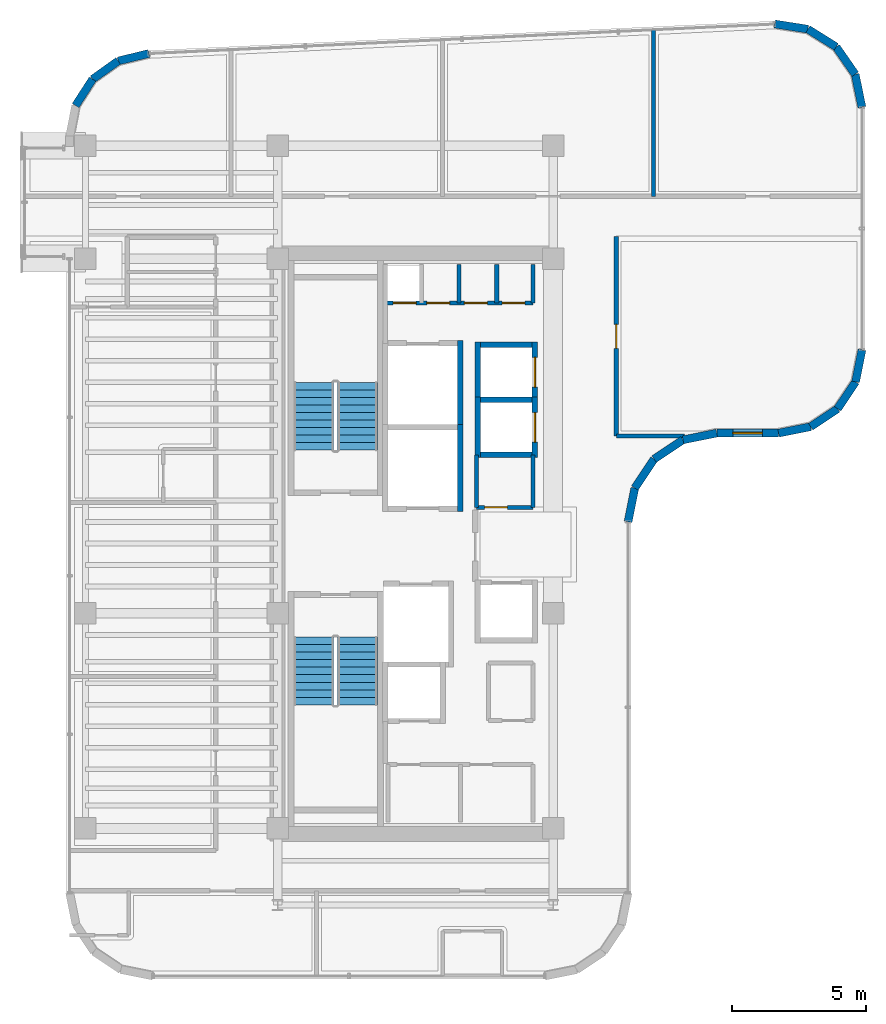
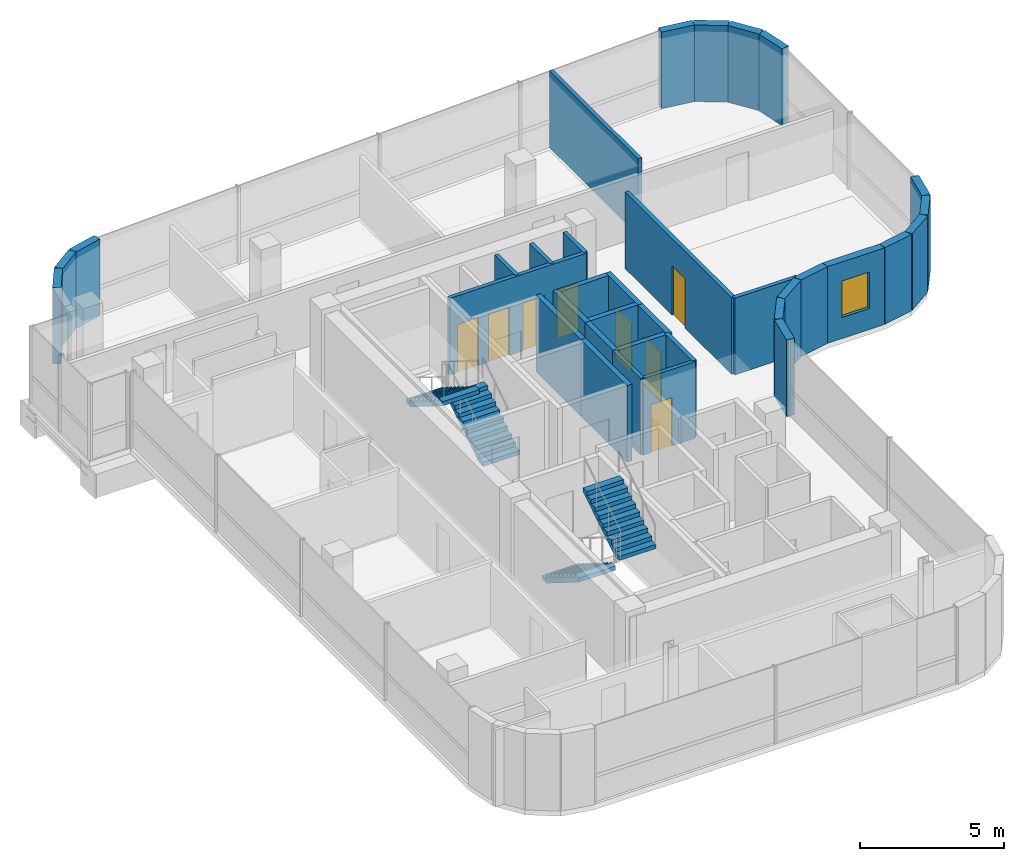
# One storey, part 18 of 21: 35 walls, 8 doors, 4 stair flights, 1 window, 9 openings, 2 elements without a shape of their own.
"""IFC4 building model written with IfcOpenShell, lengths in metres."""

from ifc_helpers import new_model, si_unit, direction, frame, frame_2d, origin, place, context, subcontext, project, spatial, polyline, rectangle, outline, extrude, material, layer, layer_set, type_object, element, fill, aggregate, save


model = new_model("IFC4")

# Units and contexts
model_context = context("Model", 3, precision=1e-05, world=origin(), true_north=direction((0.0, 1.0)))
body_context = subcontext(model_context, "Body", "Model", "MODEL_VIEW")
ifc_project = project(units=[si_unit("LENGTHUNIT", "METRE"), si_unit("AREAUNIT", "SQUARE_METRE"), si_unit("VOLUMEUNIT", "CUBIC_METRE"), si_unit("PLANEANGLEUNIT", "RADIAN"), si_unit("MASSUNIT", "GRAM", prefix="KILO")], contexts=[model_context])

# Site, building, storey
site_placement = place(None, origin())
site = spatial("IfcSite", under=ifc_project, at=site_placement, CompositionType="ELEMENT")
building_placement = place(site_placement, origin())
building = spatial("IfcBuilding", under=site, at=building_placement, Name="Valdorenza Pilgrim Sanctuary Tower", CompositionType="ELEMENT")
storey_placement = place(building_placement, frame((0.0, 0.0, 258.0)))
storey = spatial("IfcBuildingStorey", under=building, at=storey_placement, Name="L67", CompositionType="ELEMENT", Elevation=258.0)

# Wall, openings, doors
ifc_material_1 = material(Name="Acoustic twin-stud gypsum partition", Category="gypsum")
ifc_layer_1 = layer(ifc_material_1, 0.159912109375, Name="Acoustic twin-stud gypsum partition")
ifc_layer_set_1 = layer_set([ifc_layer_1], Name="Acoustic twin-stud gypsum partition")
wall_type_1 = type_object("IfcWallType", Name="WAL-COR-160", PredefinedType="PARTITIONING", material=ifc_layer_set_1)
wall_1_placement = place(storey_placement, frame((-18.64990234375, 8.949951171875, 0.0), z_axis=(0.0, 0.0, 1.0), x_axis=(1.0, 0.0, 0.0)))
wall_1 = element("IfcWall", 1, at=wall_1_placement, inside=storey, type_object=wall_type_1, Name="L67 Core A North Service South Wall", PredefinedType="PARTITIONING", context=body_context, shape_type="SweptSolid", body=[
    extrude(rectangle(XDim=5.5, YDim=0.159912109375, at=frame_2d((2.75, 0.0))), origin(), (0.0, 0.0, 1.0), 3.260009765625),
])
opening_1_placement = place(wall_1_placement, frame((0.300048828125, 0.0, 0.0)))
opening_1 = element("IfcOpeningElement", 2, at=opening_1_placement, cuts=wall_1, Name="Opening DR-RS1", PredefinedType="OPENING", context=body_context, shape_type="SweptSolid", body=[
    extrude(rectangle(XDim=0.85009765625, YDim=2.050048828125, at=frame_2d((0.425048828125, 1.02490234375))), frame((0.0, 0.0947265625, 0.0), z_axis=(0.0, -1.0, 0.0), x_axis=(1.0, 0.0, 0.0)), (0.0, 0.0, 1.0), 0.189697265625),
])
opening_2_placement = place(wall_1_placement, frame((1.550048828125, 0.0, 0.0)))
opening_2 = element("IfcOpeningElement", 3, at=opening_2_placement, cuts=wall_1, Name="Opening DR-RS1", PredefinedType="OPENING", context=body_context, shape_type="SweptSolid", body=[
    extrude(rectangle(XDim=0.85009765625, YDim=2.050048828125, at=frame_2d((0.425048828125, 1.02490234375))), frame((0.0, 0.0947265625, 0.0), z_axis=(0.0, -1.0, 0.0), x_axis=(1.0, 0.0, 0.0)), (0.0, 0.0, 1.0), 0.189697265625),
])
opening_3_placement = place(wall_1_placement, frame((2.949951171875, 0.0, 0.0)))
opening_3 = element("IfcOpeningElement", 4, at=opening_3_placement, cuts=wall_1, Name="Opening DR-RS1", PredefinedType="OPENING", context=body_context, shape_type="SweptSolid", body=[
    extrude(rectangle(XDim=0.85009765625, YDim=2.050048828125, at=frame_2d((0.425048828125, 1.02490234375))), frame((0.0, 0.0947265625, 0.0), z_axis=(0.0, -1.0, 0.0), x_axis=(1.0, 0.0, 0.0)), (0.0, 0.0, 1.0), 0.189697265625),
])
opening_4_placement = place(wall_1_placement, frame((4.35009765625, 0.0, 0.0)))
opening_4 = element("IfcOpeningElement", 5, at=opening_4_placement, cuts=wall_1, Name="Opening DR-RS1", PredefinedType="OPENING", context=body_context, shape_type="SweptSolid", body=[
    extrude(rectangle(XDim=0.85009765625, YDim=2.050048828125, at=frame_2d((0.425048828125, 1.02490234375))), frame((0.0, 0.0947265625, 0.0), z_axis=(0.0, -1.0, 0.0), x_axis=(1.0, 0.0, 0.0)), (0.0, 0.0, 1.0), 0.189697265625),
])
ifc_material_2 = material(Name="Painted galvanized steel", Category="steel")
door_type_1 = type_object("IfcDoorType", Name="DR-RSR-850", OperationType="NOTDEFINED", PredefinedType="DOOR", material=ifc_material_2)
door_1_placement = place(opening_1_placement, origin())
door_1 = element("IfcDoor", 6, at=door_1_placement, inside=storey, type_object=door_type_1, Name="L67 Core Electrical and Telecom Riser Door", OperationType="SINGLE_SWING_LEFT", OverallHeight=2.050048828125, OverallWidth=0.85009765625, PredefinedType="DOOR", context=body_context, shape_type="SweptSolid", body=[
    extrude(rectangle(XDim=0.85009765625, YDim=2.050048828125, at=frame_2d((0.425048828125, 1.02490234375))), frame((0.0, 0.02490234375, 0.0), z_axis=(0.0, -1.0, 0.0), x_axis=(1.0, 0.0, 0.0)), (0.0, 0.0, 1.0), 0.050048828125),
])
fill(opening_1, door_1)
door_2_placement = place(opening_2_placement, origin())
door_2 = element("IfcDoor", 7, at=door_2_placement, inside=storey, type_object=door_type_1, Name="L67 Housekeeping and Clean Linen Room Door", OperationType="SINGLE_SWING_RIGHT", OverallHeight=2.050048828125, OverallWidth=0.85009765625, PredefinedType="DOOR", context=body_context, shape_type="SweptSolid", body=[
    extrude(rectangle(XDim=0.85009765625, YDim=2.050048828125, at=frame_2d((0.425048828125, 1.02490234375))), frame((0.0, 0.02490234375, 0.0), z_axis=(0.0, -1.0, 0.0), x_axis=(1.0, 0.0, 0.0)), (0.0, 0.0, 1.0), 0.050048828125),
])
fill(opening_2, door_2)
door_3_placement = place(opening_3_placement, origin())
door_3 = element("IfcDoor", 8, at=door_3_placement, inside=storey, type_object=door_type_1, Name="L67 Core IT Server Closet Door", OperationType="SINGLE_SWING_LEFT", OverallHeight=2.050048828125, OverallWidth=0.85009765625, PredefinedType="DOOR", context=body_context, shape_type="SweptSolid", body=[
    extrude(rectangle(XDim=0.85009765625, YDim=2.050048828125, at=frame_2d((0.425048828125, 1.02490234375))), frame((0.0, 0.02490234375, 0.0), z_axis=(0.0, -1.0, 0.0), x_axis=(1.0, 0.0, 0.0)), (0.0, 0.0, 1.0), 0.050048828125),
])
fill(opening_3, door_3)
door_4_placement = place(opening_4_placement, origin())
door_4 = element("IfcDoor", 9, at=door_4_placement, inside=storey, type_object=door_type_1, Name="L67 Core Staff Washroom Door", OperationType="SINGLE_SWING_RIGHT", OverallHeight=2.050048828125, OverallWidth=0.85009765625, PredefinedType="DOOR", context=body_context, shape_type="SweptSolid", body=[
    extrude(rectangle(XDim=0.85009765625, YDim=2.050048828125, at=frame_2d((0.425048828125, 1.02490234375))), frame((0.0, 0.02490234375, 0.0), z_axis=(0.0, -1.0, 0.0), x_axis=(1.0, 0.0, 0.0)), (0.0, 0.0, 1.0), 0.050048828125),
])
fill(opening_4, door_4)

# Walls
for number, where, z_axis, x_axis, name in (
    (10, (-13.14990234375, 8.949951171875, 0.0), (0.0, 0.0, 1.0), (0.0, 1.0, 0.0), "L67 Core A North Service East Wall"),
    (11, (-15.89990234375, 8.949951171875, 0.0), (0.0, 0.0, 1.0), (0.0, 1.0, 0.0), "L67 Core A Split D1"),
    (12, (-14.5, 8.949951171875, 0.0), (0.0, 0.0, 1.0), (0.0, 1.0, 0.0), "L67 Core A Split D2"),
):
    element("IfcWall", number, at=place(storey_placement, frame(where, z_axis=z_axis, x_axis=x_axis)), inside=storey, type_object=wall_type_1, Name=name, PredefinedType="PARTITIONING", context=body_context, shape_type="SweptSolid", body=[
        extrude(rectangle(XDim=1.429931640625, YDim=0.159912109375, at=frame_2d((0.71484375, 0.0))), origin(), (0.0, 0.0, 1.0), 3.260009765625),
    ])
wall_2_placement = place(storey_placement, frame((-13.14990234375, 1.35009765625, 0.0), z_axis=(0.0, 0.0, 1.0), x_axis=(0.0, 1.0, 0.0)))
element("IfcWall", 13, at=wall_2_placement, inside=storey, type_object=wall_type_1, Name="L67 Freed Shaft 6 East Wall", PredefinedType="PARTITIONING", context=body_context, shape_type="SweptSolid", body=[
    extrude(rectangle(XDim=1.949951171875, YDim=0.159912109375, at=frame_2d((0.97509765625, 0.0))), origin(), (0.0, 0.0, 1.0), 3.260009765625),
])

# Wall, opening, door
wall_3_placement = place(storey_placement, frame((-10.050048828125, 4.0, 0.0), z_axis=(0.0, 0.0, 1.0), x_axis=(0.0, 1.0, 0.0)))
wall_3 = element("IfcWall", 14, at=wall_3_placement, inside=storey, type_object=wall_type_1, Name="L67 East Stub Corridor Wall", PredefinedType="PARTITIONING", context=body_context, shape_type="SweptSolid", body=[
    extrude(rectangle(XDim=7.419921875, YDim=0.159912109375, at=frame_2d((3.7099609375, 0.0))), origin(), (0.0, 0.0, 1.0), 3.260009765625),
])
opening_5_placement = place(wall_3_placement, frame((3.260009765625, 0.0, 0.0)))
opening_5 = element("IfcOpeningElement", 15, at=opening_5_placement, cuts=wall_3, Name="Opening DR-RM1", PredefinedType="OPENING", context=body_context, shape_type="SweptSolid", body=[
    extrude(rectangle(XDim=0.89990234375, YDim=2.10009765625, at=frame_2d((0.449951171875, 1.050048828125))), frame((0.0, 0.0947265625, 0.0), z_axis=(0.0, -1.0, 0.0), x_axis=(1.0, 0.0, 0.0)), (0.0, 0.0, 1.0), 0.189697265625),
])
ifc_material_3 = material(Name="Solid-core European oak timber", Category="wood")
door_type_2 = type_object("IfcDoorType", Name="DR-ROOM-900", OperationType="NOTDEFINED", PredefinedType="DOOR", material=ifc_material_3)
door_5_placement = place(opening_5_placement, origin())
door_5 = element("IfcDoor", 16, at=door_5_placement, inside=storey, type_object=door_type_2, Name="L67 Pilgrim Scholar Office L67-E1 Door", OperationType="SINGLE_SWING_RIGHT", OverallHeight=2.10009765625, OverallWidth=0.89990234375, PredefinedType="DOOR", context=body_context, shape_type="SweptSolid", body=[
    extrude(rectangle(XDim=0.89990234375, YDim=2.10009765625, at=frame_2d((0.449951171875, 1.050048828125))), frame((0.0, 0.02490234375, 0.0), z_axis=(0.0, -1.0, 0.0), x_axis=(1.0, 0.0, 0.0)), (0.0, 0.0, 1.0), 0.050048828125),
])
fill(opening_5, door_5)

# Walls
wall_4_placement = place(storey_placement, frame((-10.050048828125, 4.0, 0.0), z_axis=(0.0, 0.0, 1.0), x_axis=(1.0, 0.0, 0.0)))
element("IfcWall", 17, at=wall_4_placement, inside=storey, type_object=wall_type_1, Name="L67 East Stub South Wall", PredefinedType="PARTITIONING", context=body_context, shape_type="SweptSolid", body=[
    extrude(rectangle(XDim=2.545654296875, YDim=0.159912109375, at=frame_2d((1.27294921875, 0.0))), origin(), (0.0, 0.0, 1.0), 3.260009765625),
])
ifc_material_4 = material(Name="Honed travertine limestone", Category="masonry")
ifc_layer_2 = layer(ifc_material_4, 0.300048828125, Name="Honed travertine limestone")
ifc_layer_set_2 = layer_set([ifc_layer_2], Name="Honed travertine limestone")
wall_type_2 = type_object("IfcWallType", Name="WAL-EXT-300", PredefinedType="SOLIDWALL", material=ifc_layer_set_2)
wall_5_placement = place(storey_placement, frame((-30.16650390625, 16.29541015625, 0.0), z_axis=(0.0, 0.0, 1.0), x_axis=(0.540842020947, 0.841124193195, 0.0)))
element("IfcWall", 18, at=wall_5_placement, inside=storey, type_object=wall_type_2, Name="L67 Rounded Wind-Corner Stone Pier 3", PredefinedType="SOLIDWALL", context=body_context, shape_type="SweptSolid", body=[
    extrude(rectangle(XDim=1.169189453125, YDim=0.300048828125, at=frame_2d((0.58447265625, 0.0))), origin(), (0.0, 0.0, 1.0), 3.260009765625),
])
wall_6_placement = place(storey_placement, frame((-29.5341796875, 17.27880859375, 0.0), z_axis=(0.0, 0.0, 1.0), x_axis=(0.81466371606, 0.579933642527, 0.0)))
element("IfcWall", 19, at=wall_6_placement, inside=storey, type_object=wall_type_2, Name="L67 Rounded Wind-Corner Stone Pier 4", PredefinedType="SOLIDWALL", context=body_context, shape_type="SweptSolid", body=[
    extrude(rectangle(XDim=1.1689453125, YDim=0.300048828125, at=frame_2d((0.58447265625, 0.0))), origin(), (0.0, 0.0, 1.0), 3.260009765625),
])
wall_7_placement = place(storey_placement, frame((-28.581787109375, 17.956787109375, 0.0), z_axis=(0.0, 0.0, 1.0), x_axis=(0.971929016595, 0.235274279725, 0.0)))
element("IfcWall", 20, at=wall_7_placement, inside=storey, type_object=wall_type_2, Name="L67 Rounded Wind-Corner Stone Pier 5", PredefinedType="SOLIDWALL", context=body_context, shape_type="SweptSolid", body=[
    extrude(rectangle(XDim=1.179931640625, YDim=0.300048828125, at=frame_2d((0.58984375, 0.0))), origin(), (0.0, 0.0, 1.0), 3.260009765625),
])
wall_8_placement = place(storey_placement, frame((-4.15673828125, 19.331787109375, 0.0), z_axis=(0.0, 0.0, 1.0), x_axis=(0.987969236552, -0.15465053387, 0.0)))
element("IfcWall", 21, at=wall_8_placement, inside=storey, type_object=wall_type_2, Name="L67 Rounded Wind-Corner Stone Pier 7", PredefinedType="SOLIDWALL", context=body_context, shape_type="SweptSolid", body=[
    extrude(rectangle(XDim=1.251953125, YDim=0.300048828125, at=frame_2d((0.6259765625, 0.0))), origin(), (0.0, 0.0, 1.0), 3.260009765625),
])
for number, where, z_axis, x_axis, name in (
    (22, (-2.919921875, 19.13818359375, 0.0), (0.0, 0.0, 1.0), (0.847489288141, -0.530812496543, 0.0), "L67 Rounded Wind-Corner Stone Pier 8"),
    (23, (-1.86865234375, 18.479736328125, 0.0), (0.0, 0.0, 1.0), (0.570181861951, -0.821518499063, 0.0), "L67 Rounded Wind-Corner Stone Pier 9"),
):
    element("IfcWall", number, at=place(storey_placement, frame(where, z_axis=z_axis, x_axis=x_axis)), inside=storey, type_object=wall_type_2, Name=name, PredefinedType="SOLIDWALL", context=body_context, shape_type="SweptSolid", body=[
        extrude(rectangle(XDim=1.240478515625, YDim=0.300048828125, at=frame_2d((0.6201171875, 0.0))), origin(), (0.0, 0.0, 1.0), 3.260009765625),
    ])
wall_9_placement = place(storey_placement, frame((-1.161376953125, 17.460693359375, 0.0), z_axis=(0.0, 0.0, 1.0), x_axis=(0.20087696073, -0.979616479367, 0.0)))
element("IfcWall", 24, at=wall_9_placement, inside=storey, type_object=wall_type_2, Name="L67 Rounded Wind-Corner Stone Pier 10", PredefinedType="SOLIDWALL", context=body_context, shape_type="SweptSolid", body=[
    extrude(rectangle(XDim=1.251953125, YDim=0.300048828125, at=frame_2d((0.6259765625, 0.0))), origin(), (0.0, 0.0, 1.0), 3.260009765625),
])
wall_10_placement = place(storey_placement, frame((-0.909912109375, 7.210693359375, 0.0), z_axis=(0.0, 0.0, 1.0), x_axis=(-0.195189223115, -0.980765602568, 0.0)))
element("IfcWall", 25, at=wall_10_placement, inside=storey, type_object=wall_type_2, Name="L67 Rounded Wind-Corner Stone Pier 12", PredefinedType="SOLIDWALL", context=body_context, shape_type="SweptSolid", body=[
    extrude(rectangle(XDim=1.2158203125, YDim=0.300048828125, at=frame_2d((0.60791015625, 0.0))), origin(), (0.0, 0.0, 1.0), 3.260009765625),
])
for number, where, z_axis, x_axis, name in (
    (26, (-1.147216796875, 6.018310546875, 0.0), (0.0, 0.0, 1.0), (-0.555635100982, -0.831426265255, 0.0), "L67 Rounded Wind-Corner Stone Pier 13"),
    (27, (-1.816650390625, 5.0166015625, 0.0), (0.0, 0.0, 1.0), (-0.831426265255, -0.555635100982, 0.0), "L67 Rounded Wind-Corner Stone Pier 14"),
):
    element("IfcWall", number, at=place(storey_placement, frame(where, z_axis=z_axis, x_axis=x_axis)), inside=storey, type_object=wall_type_2, Name=name, PredefinedType="SOLIDWALL", context=body_context, shape_type="SweptSolid", body=[
        extrude(rectangle(XDim=1.204833984375, YDim=0.300048828125, at=frame_2d((0.6025390625, 0.0))), origin(), (0.0, 0.0, 1.0), 3.260009765625),
    ])
wall_11_placement = place(storey_placement, frame((-2.818359375, 4.34716796875, 0.0), z_axis=(0.0, 0.0, 1.0), x_axis=(-0.980804027463, -0.194996050505, 0.0)))
element("IfcWall", 28, at=wall_11_placement, inside=storey, type_object=wall_type_2, Name="L67 Rounded Wind-Corner Stone Pier 15", PredefinedType="SOLIDWALL", context=body_context, shape_type="SweptSolid", body=[
    extrude(rectangle(XDim=1.2158203125, YDim=0.300048828125, at=frame_2d((0.60791015625, 0.0))), origin(), (0.0, 0.0, 1.0), 3.260009765625),
])

# Wall, opening, window
wall_12_placement = place(storey_placement, frame((-4.0107421875, 4.110107421875, 0.0), z_axis=(0.0, 0.0, 1.0), x_axis=(-1.0, 0.0, 0.0)))
wall_12 = element("IfcWall", 29, at=wall_12_placement, inside=storey, type_object=wall_type_2, Name="L67 Rounded Wind-Corner Stone Pier 16", PredefinedType="SOLIDWALL", context=body_context, shape_type="SweptSolid", body=[
    extrude(rectangle(XDim=2.300048828125, YDim=0.300048828125, at=frame_2d((1.14990234375, 0.0))), origin(), (0.0, 0.0, 1.0), 3.260009765625),
])
opening_6_placement = place(wall_12_placement, frame((0.60009765625, 0.0, 0.89990234375)))
opening_6 = element("IfcOpeningElement", 30, at=opening_6_placement, cuts=wall_12, Name="Opening WN-CR1", PredefinedType="OPENING", context=body_context, shape_type="SweptSolid", body=[
    extrude(rectangle(XDim=1.10009765625, YDim=1.550048828125, at=frame_2d((0.550048828125, 0.77490234375))), frame((0.0, 0.1650390625, 0.0), z_axis=(0.0, -1.0, 0.0), x_axis=(1.0, 0.0, 0.0)), (0.0, 0.0, 1.0), 0.329833984375),
])
ifc_material_5 = material(Name="Ceramic-fritted low-E IGU glazing", Category="glass")
window_type = type_object("IfcWindowType", Name="WIN-CRN-1200", PartitioningType="SINGLE_PANEL", PredefinedType="WINDOW", material=ifc_material_5)
window_placement = place(opening_6_placement, origin())
window = element("IfcWindow", 31, at=window_placement, inside=storey, type_object=window_type, Name="L67 Rounded Corner Slot Window 16", OverallHeight=1.550048828125, OverallWidth=1.10009765625, PartitioningType="SINGLE_PANEL", PredefinedType="WINDOW", context=body_context, shape_type="SweptSolid", body=[
    extrude(rectangle(XDim=1.10009765625, YDim=1.550048828125, at=frame_2d((0.550048828125, 0.77490234375))), frame((0.0, 0.030029296875, 0.0), z_axis=(0.0, -1.0, 0.0), x_axis=(1.0, 0.0, 0.0)), (0.0, 0.0, 1.0), 0.06005859375),
])
fill(opening_6, window)

# Walls
wall_13_placement = place(storey_placement, frame((-6.310791015625, 4.110107421875, 0.0), z_axis=(0.0, 0.0, 1.0), x_axis=(-0.980778058848, -0.195126623715, 0.0)))
element("IfcWall", 32, at=wall_13_placement, inside=storey, type_object=wall_type_2, Name="L67 Rounded Wind-Corner Stone Pier 17", PredefinedType="SOLIDWALL", context=body_context, shape_type="SweptSolid", body=[
    extrude(rectangle(XDim=1.28125, YDim=0.300048828125, at=frame_2d((0.640625, 0.0))), origin(), (0.0, 0.0, 1.0), 3.260009765625),
])
for number, where, z_axis, x_axis, name in (
    (33, (-7.5673828125, 3.860107421875, 0.0), (0.0, 0.0, 1.0), (-0.831497739511, -0.555528135371, 0.0), "L67 Rounded Wind-Corner Stone Pier 18"),
    (34, (-8.64208984375, 3.14208984375, 0.0), (0.0, 0.0, 1.0), (-0.555528135371, -0.831497739511, 0.0), "L67 Rounded Wind-Corner Stone Pier 19"),
):
    element("IfcWall", number, at=place(storey_placement, frame(where, z_axis=z_axis, x_axis=x_axis)), inside=storey, type_object=wall_type_2, Name=name, PredefinedType="SOLIDWALL", context=body_context, shape_type="SweptSolid", body=[
        extrude(rectangle(XDim=1.29248046875, YDim=0.300048828125, at=frame_2d((0.646240234375, 0.0))), origin(), (0.0, 0.0, 1.0), 3.260009765625),
    ])
wall_14_placement = place(storey_placement, frame((-9.360107421875, 2.0673828125, 0.0), z_axis=(0.0, 0.0, 1.0), x_axis=(-0.195126623715, -0.980778058848, 0.0)))
element("IfcWall", 35, at=wall_14_placement, inside=storey, type_object=wall_type_2, Name="L67 Rounded Wind-Corner Stone Pier 20", PredefinedType="SOLIDWALL", context=body_context, shape_type="SweptSolid", body=[
    extrude(rectangle(XDim=1.28125, YDim=0.300048828125, at=frame_2d((0.640625, 0.0))), origin(), (0.0, 0.0, 1.0), 3.260009765625),
])
ifc_material_6 = material(Name="Autoclaved aerated concrete blockwork", Category="masonry")
ifc_layer_3 = layer(ifc_material_6, 0.199951171875, Name="Autoclaved aerated concrete blockwork")
ifc_layer_set_3 = layer_set([ifc_layer_3], Name="Autoclaved aerated concrete blockwork")
wall_type_3 = type_object("IfcWallType", Name="WAL-SHF-200", PredefinedType="MOVABLE", material=ifc_layer_set_3)
wall_15_placement = place(storey_placement, frame((-15.85009765625, 1.199951171875, 0.0), z_axis=(0.0, 0.0, 1.0), x_axis=(0.0, 1.0, 0.0)))
element("IfcWall", 36, at=wall_15_placement, inside=storey, type_object=wall_type_3, Name="L67 Lift FFL-01 Hoistway Wall East", PredefinedType="MOVABLE", context=body_context, shape_type="SweptSolid", body=[
    extrude(rectangle(XDim=3.22509765625, YDim=0.199951171875, at=frame_2d((1.612548828125, 0.0))), origin(), (0.0, 0.0, 1.0), 3.260009765625),
])
wall_16_placement = place(storey_placement, frame((-15.85009765625, 4.22509765625, 0.0), z_axis=(0.0, 0.0, 1.0), x_axis=(0.0, 1.0, 0.0)))
element("IfcWall", 37, at=wall_16_placement, inside=storey, type_object=wall_type_3, Name="L67 Lift SVL-01 Hoistway Wall East", PredefinedType="MOVABLE", context=body_context, shape_type="SweptSolid", body=[
    extrude(rectangle(XDim=3.324951171875, YDim=0.199951171875, at=frame_2d((1.66259765625, 0.0))), origin(), (0.0, 0.0, 1.0), 3.260009765625),
])
wall_17_placement = place(storey_placement, frame((-15.199951171875, 3.199951171875, 0.0), z_axis=(0.0, 0.0, 1.0), x_axis=(0.0, 1.0, 0.0)))
element("IfcWall", 38, at=wall_17_placement, inside=storey, type_object=wall_type_3, Name="L67 Lift PL-09 Hoistway Wall West", PredefinedType="MOVABLE", context=body_context, shape_type="SweptSolid", body=[
    extrude(rectangle(XDim=2.25, YDim=0.199951171875, at=frame_2d((1.125, 0.0))), origin(), (0.0, 0.0, 1.0), 3.260009765625),
])

# Wall, opening, door
wall_18_placement = place(storey_placement, frame((-13.080078125, 3.199951171875, 0.0), z_axis=(0.0, 0.0, 1.0), x_axis=(0.0, 1.0, 0.0)))
wall_18 = element("IfcWall", 39, at=wall_18_placement, inside=storey, type_object=wall_type_3, Name="L67 Lift PL-09 Hoistway Wall East", PredefinedType="MOVABLE", context=body_context, shape_type="SweptSolid", body=[
    extrude(rectangle(XDim=2.25, YDim=0.199951171875, at=frame_2d((1.125, 0.0))), origin(), (0.0, 0.0, 1.0), 3.260009765625),
])
opening_7_placement = place(wall_18_placement, frame((0.574951171875, 0.0, 0.0)))
opening_7 = element("IfcOpeningElement", 40, at=opening_7_placement, cuts=wall_18, Name="Opening LD-01", PredefinedType="OPENING", context=body_context, shape_type="SweptSolid", body=[
    extrude(rectangle(XDim=1.10009765625, YDim=2.10009765625, at=frame_2d((0.550048828125, 1.050048828125))), frame((0.0, 0.11474609375, 0.0), z_axis=(0.0, -1.0, 0.0), x_axis=(1.0, 0.0, 0.0)), (0.0, 0.0, 1.0), 0.229736328125),
])
ifc_material_7 = material(Name="Brushed stainless steel Grade 316", Category="steel")
door_type_3 = type_object("IfcDoorType", Name="DR-LFT-1100", OperationType="DOUBLE_DOOR_SLIDING", PredefinedType="DOOR", material=ifc_material_7)
door_6_placement = place(opening_7_placement, origin())
door_6 = element("IfcDoor", 41, at=door_6_placement, inside=storey, type_object=door_type_3, Name="L67 Lift PL-09 Sliding Landing Door", OperationType="DOUBLE_DOOR_SLIDING", OverallHeight=2.10009765625, OverallWidth=1.10009765625, PredefinedType="DOOR", context=body_context, shape_type="SweptSolid", body=[
    extrude(rectangle(XDim=1.10009765625, YDim=2.10009765625, at=frame_2d((0.550048828125, 1.050048828125))), frame((0.0, 0.02490234375, 0.0), z_axis=(0.0, -1.0, 0.0), x_axis=(1.0, 0.0, 0.0)), (0.0, 0.0, 1.0), 0.050048828125),
])
fill(opening_7, door_6)

# Walls
for number, where, z_axis, x_axis, name in (
    (42, (-15.10009765625, 3.300048828125, 0.0), (0.0, 0.0, 1.0), (1.0, 0.0, 0.0), "L67 Lift PL-09 Hoistway Wall South"),
    (43, (-15.10009765625, 5.35009765625, 0.0), (0.0, 0.0, 1.0), (1.0, 0.0, 0.0), "L67 Lift PL-09 Hoistway Wall North"),
):
    element("IfcWall", number, at=place(storey_placement, frame(where, z_axis=z_axis, x_axis=x_axis)), inside=storey, type_object=wall_type_3, Name=name, PredefinedType="MOVABLE", context=body_context, shape_type="SweptSolid", body=[
        extrude(rectangle(XDim=1.920166015625, YDim=0.199951171875, at=frame_2d((0.9599609375, 0.0))), origin(), (0.0, 0.0, 1.0), 3.260009765625),
    ])
wall_19_placement = place(storey_placement, frame((-15.199951171875, 5.25, 0.0), z_axis=(0.0, 0.0, 1.0), x_axis=(0.0, 1.0, 0.0)))
element("IfcWall", 44, at=wall_19_placement, inside=storey, type_object=wall_type_3, Name="L67 Lift PL-10 Hoistway Wall West", PredefinedType="MOVABLE", context=body_context, shape_type="SweptSolid", body=[
    extrude(rectangle(XDim=2.25, YDim=0.199951171875, at=frame_2d((1.125, 0.0))), origin(), (0.0, 0.0, 1.0), 3.260009765625),
])

# Wall, opening, door
wall_20_placement = place(storey_placement, frame((-13.080078125, 5.25, 0.0), z_axis=(0.0, 0.0, 1.0), x_axis=(0.0, 1.0, 0.0)))
wall_20 = element("IfcWall", 45, at=wall_20_placement, inside=storey, type_object=wall_type_3, Name="L67 Lift PL-10 Hoistway Wall East", PredefinedType="MOVABLE", context=body_context, shape_type="SweptSolid", body=[
    extrude(rectangle(XDim=2.25, YDim=0.199951171875, at=frame_2d((1.125, 0.0))), origin(), (0.0, 0.0, 1.0), 3.260009765625),
])
opening_8_placement = place(wall_20_placement, frame((0.574951171875, 0.0, 0.0)))
opening_8 = element("IfcOpeningElement", 46, at=opening_8_placement, cuts=wall_20, Name="Opening LD-01", PredefinedType="OPENING", context=body_context, shape_type="SweptSolid", body=[
    extrude(rectangle(XDim=1.10009765625, YDim=2.10009765625, at=frame_2d((0.550048828125, 1.050048828125))), frame((0.0, 0.11474609375, 0.0), z_axis=(0.0, -1.0, 0.0), x_axis=(1.0, 0.0, 0.0)), (0.0, 0.0, 1.0), 0.229736328125),
])
door_7_placement = place(opening_8_placement, origin())
door_7 = element("IfcDoor", 47, at=door_7_placement, inside=storey, type_object=door_type_3, Name="L67 Lift PL-10 Sliding Landing Door", OperationType="DOUBLE_DOOR_SLIDING", OverallHeight=2.10009765625, OverallWidth=1.10009765625, PredefinedType="DOOR", context=body_context, shape_type="SweptSolid", body=[
    extrude(rectangle(XDim=1.10009765625, YDim=2.10009765625, at=frame_2d((0.550048828125, 1.050048828125))), frame((0.0, 0.02490234375, 0.0), z_axis=(0.0, -1.0, 0.0), x_axis=(1.0, 0.0, 0.0)), (0.0, 0.0, 1.0), 0.050048828125),
])
fill(opening_8, door_7)

# Walls
wall_21_placement = place(storey_placement, frame((-15.10009765625, 7.39990234375, 0.0), z_axis=(0.0, 0.0, 1.0), x_axis=(1.0, 0.0, 0.0)))
element("IfcWall", 48, at=wall_21_placement, inside=storey, type_object=wall_type_3, Name="L67 Lift PL-10 Hoistway Wall North", PredefinedType="MOVABLE", context=body_context, shape_type="SweptSolid", body=[
    extrude(rectangle(XDim=1.920166015625, YDim=0.199951171875, at=frame_2d((0.9599609375, 0.0))), origin(), (0.0, 0.0, 1.0), 3.260009765625),
])
ifc_layer_4 = layer(ifc_material_1, 0.14990234375, Name="Acoustic twin-stud gypsum partition")
ifc_layer_set_4 = layer_set([ifc_layer_4], Name="Acoustic twin-stud gypsum partition")
wall_type_4 = type_object("IfcWallType", Name="WAL-UNT-150", PredefinedType="PARTITIONING", material=ifc_layer_set_4)
wall_22_placement = place(storey_placement, frame((-15.25, 1.35009765625, 0.0), z_axis=(0.0, 0.0, 1.0), x_axis=(0.0, 1.0, 0.0)))
element("IfcWall", 49, at=wall_22_placement, inside=storey, type_object=wall_type_4, Name="L67 Freed Shaft 6 West Wall", PredefinedType="PARTITIONING", context=body_context, shape_type="SweptSolid", body=[
    extrude(rectangle(XDim=1.949951171875, YDim=0.14990234375, at=frame_2d((0.97509765625, 0.0))), origin(), (0.0, 0.0, 1.0), 3.260009765625),
])

# Wall, opening, door
wall_23_placement = place(storey_placement, frame((-15.25, 1.35009765625, 0.0), z_axis=(0.0, 0.0, 1.0), x_axis=(1.0, 0.0, 0.0)))
wall_23 = element("IfcWall", 50, at=wall_23_placement, inside=storey, type_object=wall_type_4, Name="L67 Freed Shaft 6 South Wall", PredefinedType="PARTITIONING", context=body_context, shape_type="SweptSolid", body=[
    extrude(rectangle(XDim=2.10009765625, YDim=0.14990234375, at=frame_2d((1.050048828125, 0.0))), origin(), (0.0, 0.0, 1.0), 3.260009765625),
])
opening_9_placement = place(wall_23_placement, frame((0.300048828125, 0.0, 0.0)))
opening_9 = element("IfcOpeningElement", 51, at=opening_9_placement, cuts=wall_23, Name="Opening DR-RS1", PredefinedType="OPENING", context=body_context, shape_type="SweptSolid", body=[
    extrude(rectangle(XDim=0.85009765625, YDim=2.050048828125, at=frame_2d((0.425048828125, 1.02490234375))), frame((0.0, 0.08984375, 0.0), z_axis=(0.0, -1.0, 0.0), x_axis=(1.0, 0.0, 0.0)), (0.0, 0.0, 1.0), 0.1796875),
])
door_8_placement = place(opening_9_placement, origin())
door_8 = element("IfcDoor", 52, at=door_8_placement, inside=storey, type_object=door_type_1, Name="L67 High-Rise Butler Pantry Door", OperationType="SINGLE_SWING_RIGHT", OverallHeight=2.050048828125, OverallWidth=0.85009765625, PredefinedType="DOOR", context=body_context, shape_type="SweptSolid", body=[
    extrude(rectangle(XDim=0.85009765625, YDim=2.050048828125, at=frame_2d((0.425048828125, 1.02490234375))), frame((0.0, 0.02490234375, 0.0), z_axis=(0.0, -1.0, 0.0), x_axis=(1.0, 0.0, 0.0)), (0.0, 0.0, 1.0), 0.050048828125),
])
fill(opening_9, door_8)

# Wall
wall_24_placement = place(storey_placement, frame((-8.659912109375, 12.919921875, 0.0), z_axis=(0.0, 0.0, 1.0), x_axis=(0.0, 1.0, 0.0)))
element("IfcWall", 53, at=wall_24_placement, inside=storey, type_object=wall_type_4, Name="L67 Sanctuary Administration Office L67-N4 Demising Wall", PredefinedType="PARTITIONING", context=body_context, shape_type="SweptSolid", body=[
    extrude(rectangle(XDim=6.199462890625, YDim=0.14990234375, at=frame_2d((3.099609375, 0.0))), origin(), (0.0, 0.0, 1.0), 3.260009765625),
])

# Stair, stair flights
ifc_material_8 = material(Name="Concrete C40/50", Category="concrete")
stair_type = type_object("IfcStairType", Name="STR-DOG-CORE", PredefinedType="HALF_TURN_STAIR", material=ifc_material_8)
stair_1_placement = place(storey_placement, origin())
stair_1 = element("IfcStair", 54, at=stair_1_placement, inside=storey, type_object=stair_type, Name="L67 ST-A1", PredefinedType="HALF_TURN_STAIR")
stair_flight_type = type_object("IfcStairFlightType", Name="STF-RC-1400", PredefinedType="STRAIGHT", material=ifc_material_8)
stair_flight_1_placement = place(storey_placement, frame((-19.679931640625, 3.47998046875, 0.0), z_axis=(0.0, 0.0, 1.0), x_axis=(0.0, 1.0, 0.0)))
stair_flight_1 = element("IfcStairFlight", 55, at=stair_flight_1_placement, type_object=stair_flight_type, Name="ST-A1 flight 1", NumberOfRisers=10, NumberOfTreads=9, PredefinedType="STRAIGHT", RiserHeight=0.175, TreadLength=0.28, context=body_context, shape_type="SweptSolid", body=[
    extrude(outline(polyline([(0.0, 0.0), (0.0, 0.175048828125), (0.280029296875, 0.175048828125), (0.280029296875, 0.35009765625), (0.56005859375, 0.35009765625), (0.56005859375, 0.52490234375), (0.840087890625, 0.52490234375), (0.840087890625, 0.699951171875), (1.1201171875, 0.699951171875), (1.1201171875, 0.875), (1.39990234375, 0.875), (1.39990234375, 1.050048828125), (1.679931640625, 1.050048828125), (1.679931640625, 1.22509765625), (1.9599609375, 1.22509765625), (1.9599609375, 1.39990234375), (2.239990234375, 1.39990234375), (2.239990234375, 1.574951171875), (2.52001953125, 1.574951171875), (2.52001953125, 1.75), (2.52001953125, 1.398193359375), (0.28271484375, 0.0), (0.0, 0.0)])), frame((0.0, 0.739990234375, 0.0), z_axis=(0.0, -1.0, 0.0), x_axis=(1.0, 0.0, 0.0)), (0.0, 0.0, 1.0), 1.47998046875),
])
stair_flight_2_placement = place(storey_placement, frame((-21.31005859375, 6.0, 1.75), z_axis=(0.0, 0.0, 1.0), x_axis=(0.0, -1.0, 0.0)))
stair_flight_2 = element("IfcStairFlight", 56, at=stair_flight_2_placement, type_object=stair_flight_type, Name="ST-A1 flight 2", NumberOfRisers=10, NumberOfTreads=9, PredefinedType="STRAIGHT", RiserHeight=0.175, TreadLength=0.28, context=body_context, shape_type="SweptSolid", body=[
    extrude(outline(polyline([(0.0, 0.0), (0.0, 0.175048828125), (0.280029296875, 0.175048828125), (0.280029296875, 0.35009765625), (0.56005859375, 0.35009765625), (0.56005859375, 0.52490234375), (0.840087890625, 0.52490234375), (0.840087890625, 0.699951171875), (1.1201171875, 0.699951171875), (1.1201171875, 0.875), (1.39990234375, 0.875), (1.39990234375, 1.050048828125), (1.679931640625, 1.050048828125), (1.679931640625, 1.22509765625), (1.9599609375, 1.22509765625), (1.9599609375, 1.39990234375), (2.239990234375, 1.39990234375), (2.239990234375, 1.574951171875), (2.52001953125, 1.574951171875), (2.52001953125, 1.75), (2.52001953125, 1.398193359375), (0.28271484375, 0.0), (0.0, 0.0)])), frame((0.0, 0.739990234375, 0.0), z_axis=(0.0, -1.0, 0.0), x_axis=(1.0, 0.0, 0.0)), (0.0, 0.0, 1.0), 1.47998046875),
])
aggregate(stair_1, [stair_flight_1, stair_flight_2])

stair_2_placement = place(storey_placement, origin())
stair_2 = element("IfcStair", 57, at=stair_2_placement, inside=storey, type_object=stair_type, Name="L67 ST-A2", PredefinedType="HALF_TURN_STAIR")
stair_flight_3_placement = place(storey_placement, frame((-21.31005859375, -3.47998046875, 0.0), z_axis=(0.0, 0.0, 1.0), x_axis=(0.0, -1.0, 0.0)))
stair_flight_3 = element("IfcStairFlight", 58, at=stair_flight_3_placement, type_object=stair_flight_type, Name="ST-A2 flight 1", NumberOfRisers=10, NumberOfTreads=9, PredefinedType="STRAIGHT", RiserHeight=0.175, TreadLength=0.28, context=body_context, shape_type="SweptSolid", body=[
    extrude(outline(polyline([(0.0, 0.0), (0.0, 0.175048828125), (0.280029296875, 0.175048828125), (0.280029296875, 0.35009765625), (0.56005859375, 0.35009765625), (0.56005859375, 0.52490234375), (0.840087890625, 0.52490234375), (0.840087890625, 0.699951171875), (1.1201171875, 0.699951171875), (1.1201171875, 0.875), (1.39990234375, 0.875), (1.39990234375, 1.050048828125), (1.679931640625, 1.050048828125), (1.679931640625, 1.22509765625), (1.9599609375, 1.22509765625), (1.9599609375, 1.39990234375), (2.239990234375, 1.39990234375), (2.239990234375, 1.574951171875), (2.52001953125, 1.574951171875), (2.52001953125, 1.75), (2.52001953125, 1.398193359375), (0.28271484375, 0.0), (0.0, 0.0)])), frame((0.0, 0.739990234375, 0.0), z_axis=(0.0, -1.0, 0.0), x_axis=(1.0, 0.0, 0.0)), (0.0, 0.0, 1.0), 1.47998046875),
])
stair_flight_4_placement = place(storey_placement, frame((-19.679931640625, -6.0, 1.75), z_axis=(0.0, 0.0, 1.0), x_axis=(0.0, 1.0, 0.0)))
stair_flight_4 = element("IfcStairFlight", 59, at=stair_flight_4_placement, type_object=stair_flight_type, Name="ST-A2 flight 2", NumberOfRisers=10, NumberOfTreads=9, PredefinedType="STRAIGHT", RiserHeight=0.175, TreadLength=0.28, context=body_context, shape_type="SweptSolid", body=[
    extrude(outline(polyline([(0.0, 0.0), (0.0, 0.175048828125), (0.280029296875, 0.175048828125), (0.280029296875, 0.35009765625), (0.56005859375, 0.35009765625), (0.56005859375, 0.52490234375), (0.840087890625, 0.52490234375), (0.840087890625, 0.699951171875), (1.1201171875, 0.699951171875), (1.1201171875, 0.875), (1.39990234375, 0.875), (1.39990234375, 1.050048828125), (1.679931640625, 1.050048828125), (1.679931640625, 1.22509765625), (1.9599609375, 1.22509765625), (1.9599609375, 1.39990234375), (2.239990234375, 1.39990234375), (2.239990234375, 1.574951171875), (2.52001953125, 1.574951171875), (2.52001953125, 1.75), (2.52001953125, 1.398193359375), (0.28271484375, 0.0), (0.0, 0.0)])), frame((0.0, 0.739990234375, 0.0), z_axis=(0.0, -1.0, 0.0), x_axis=(1.0, 0.0, 0.0)), (0.0, 0.0, 1.0), 1.47998046875),
])
aggregate(stair_2, [stair_flight_3, stair_flight_4])

save(model, "model.ifc")
